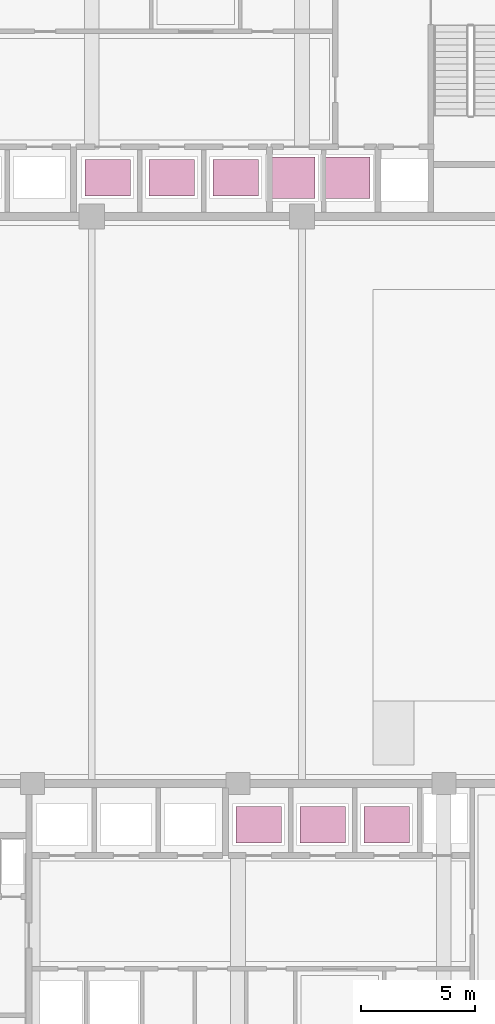
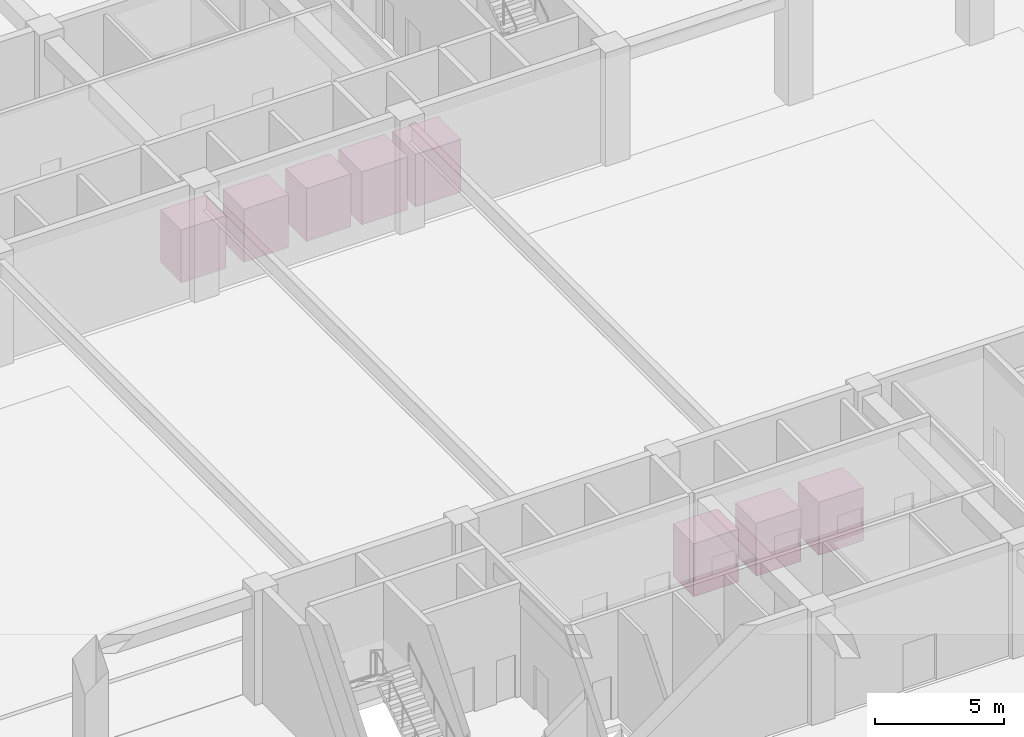
# One storey, part 46 of 46: 8 transport elements.
"""IFC4 building model written with IfcOpenShell, lengths in metres."""

from ifc_helpers import new_model, si_unit, direction, frame, origin, origin_2d, place, context, subcontext, project, spatial, rectangle, extrude, material, type_object, element, save


model = new_model("IFC4")

# Units and contexts
model_context = context("Model", 3, precision=1e-05, world=origin(), true_north=direction((0.0, 1.0)))
body_context = subcontext(model_context, "Body", "Model", "MODEL_VIEW")
ifc_project = project(units=[si_unit("LENGTHUNIT", "METRE"), si_unit("AREAUNIT", "SQUARE_METRE"), si_unit("VOLUMEUNIT", "CUBIC_METRE"), si_unit("PLANEANGLEUNIT", "RADIAN"), si_unit("MASSUNIT", "GRAM", prefix="KILO")], contexts=[model_context])

# Site, building, storey
site_placement = place(None, origin())
site = spatial("IfcSite", under=ifc_project, at=site_placement, CompositionType="ELEMENT")
building_placement = place(site_placement, origin())
building = spatial("IfcBuilding", under=site, at=building_placement, Name="Korimba Cascade Residences", CompositionType="ELEMENT")
storey_placement = place(building_placement, origin())
storey = spatial("IfcBuildingStorey", under=building, at=storey_placement, Name="L00", CompositionType="ELEMENT", Elevation=0.0)

# Transport elements
ifc_material_1 = material(Name="Stainless Steel Passenger Lift Car", Category="steel")
transport_element_type_1 = type_object("IfcTransportElementType", Name="LIFT-PAS-1600", PredefinedType="ELEVATOR", material=ifc_material_1)
for number, where, z_axis, x_axis, name in (
    (1, (94.39990234375, 56.89990234375, 0.0), (0.0, 0.0, 1.0), (1.0, 0.0, 0.0), "Passenger Lift PL-W4"),
    (2, (97.199951171875, 56.89990234375, 0.0), (0.0, 0.0, 1.0), (1.0, 0.0, 0.0), "Passenger Lift PL-W5"),
    (3, (100.0, 56.89990234375, 0.0), (0.0, 0.0, 1.0), (1.0, 0.0, 0.0), "Passenger Lift PL-W6"),
    (4, (101.0, 28.60009765625, 0.0), (0.0, 0.0, 1.0), (1.0, 0.0, 0.0), "Passenger Lift PL-E4"),
    (5, (103.800048828125, 28.60009765625, 0.0), (0.0, 0.0, 1.0), (1.0, 0.0, 0.0), "Passenger Lift PL-E5"),
    (6, (106.60009765625, 28.60009765625, 0.0), (0.0, 0.0, 1.0), (1.0, 0.0, 0.0), "Passenger Lift PL-E6"),
):
    element("IfcTransportElement", number, at=place(storey_placement, frame(where, z_axis=z_axis, x_axis=x_axis)), inside=storey, type_object=transport_element_type_1, Name=name, PredefinedType="ELEVATOR", context=body_context, shape_type="SweptSolid", body=[
        extrude(rectangle(XDim=2.0, YDim=1.60009765625, at=origin_2d()), origin(), (0.0, 0.0, 1.0), 2.5),
    ])
ifc_material_2 = material(Name="Stainless Steel Sky-Zone Lift Car", Category="steel")
transport_element_type_2 = type_object("IfcTransportElementType", Name="LIFT-PAS-1800", PredefinedType="ELEVATOR", material=ifc_material_2)
for number, where, z_axis, x_axis, name in (
    (7, (102.449951171875, 56.89990234375, 0.0), (0.0, 0.0, 1.0), (1.0, 0.0, 0.0), "Passenger Lift PL-W7"),
    (8, (104.85009765625, 56.89990234375, 0.0), (0.0, 0.0, 1.0), (1.0, 0.0, 0.0), "Passenger Lift PL-W8"),
):
    element("IfcTransportElement", number, at=place(storey_placement, frame(where, z_axis=z_axis, x_axis=x_axis)), inside=storey, type_object=transport_element_type_2, Name=name, PredefinedType="ELEVATOR", context=body_context, shape_type="SweptSolid", body=[
        extrude(rectangle(XDim=2.050048828125, YDim=1.800048828125, at=origin_2d()), origin(), (0.0, 0.0, 1.0), 2.5),
    ])

save(model, "model.ifc")
